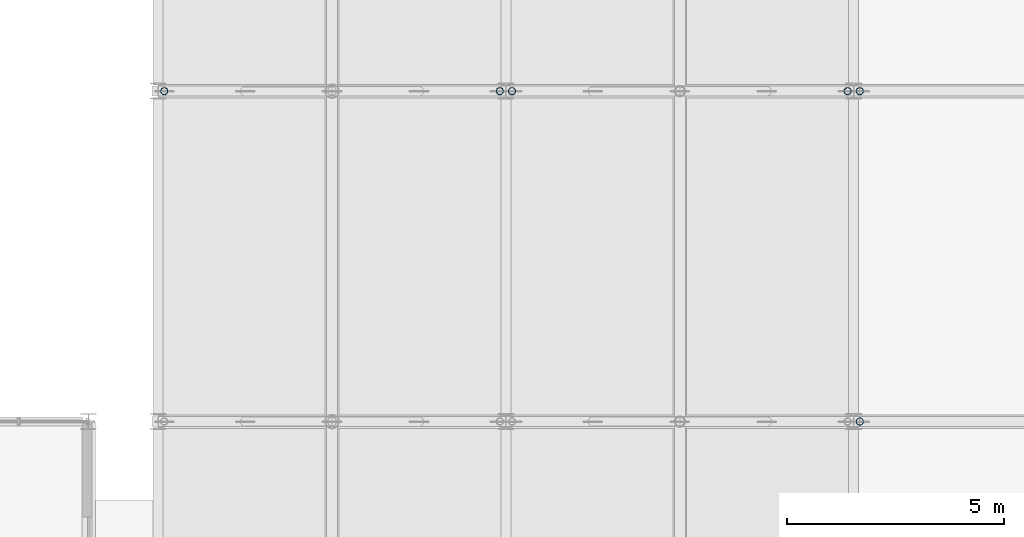
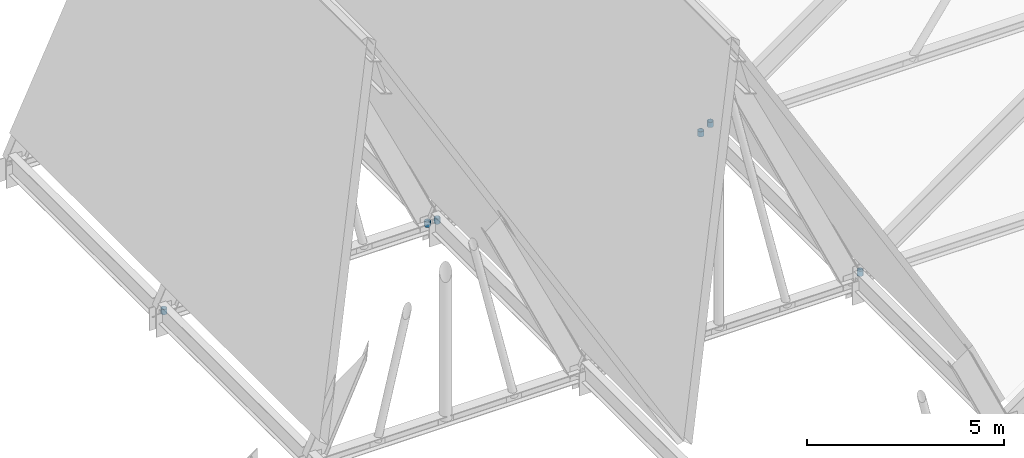
# One storey, part 55 of 85: 6 members.
"""IFC4 building model written with IfcOpenShell, lengths in metres."""

from ifc_helpers import new_model, si_unit, direction, frame, origin, origin_2d, place, context, subcontext, project, spatial, hollow_circle, extrude, material, material_profile, profile_set, type_object, element, save


model = new_model("IFC4")

# Units and contexts
model_context = context("Model", 3, precision=1e-05, world=origin(), true_north=direction((0.0, 1.0)))
body_context = subcontext(model_context, "Body", "Model", "MODEL_VIEW")
ifc_project = project(units=[si_unit("LENGTHUNIT", "METRE"), si_unit("AREAUNIT", "SQUARE_METRE"), si_unit("VOLUMEUNIT", "CUBIC_METRE"), si_unit("PLANEANGLEUNIT", "RADIAN"), si_unit("MASSUNIT", "GRAM", prefix="KILO")], contexts=[model_context])

# Site, building, storey
site_placement = place(None, origin())
site = spatial("IfcSite", under=ifc_project, at=site_placement, CompositionType="ELEMENT")
building_placement = place(site_placement, origin())
building = spatial("IfcBuilding", under=site, at=building_placement, Name="Zulena Civic Courthouse", CompositionType="ELEMENT")
storey_placement = place(building_placement, frame((0.0, 0.0, 25.199951171875)))
storey = spatial("IfcBuildingStorey", under=building, at=storey_placement, Name="L05", CompositionType="ELEMENT", Elevation=25.199951171875)

# Members
ifc_material = material(Name="Steel ASTM A500 Grade C", Category="steel")
ifc_material_profile = material_profile(ifc_material, hollow_circle(Radius=0.083984375, WallThickness=0.00732421875, at=origin_2d()), Name="HSS6.625X0.312")
ifc_profile_set = profile_set([ifc_material_profile], Name="Steel ASTM A500 Grade C")
member_type = type_object("IfcMemberType", Name="RoofWeb_CHS6", PredefinedType="USERDEFINED", material=ifc_profile_set)
for number, where, z_axis, x_axis, name in (
    (1, (68.139892578125, 30.39990234375, 0.343017578125), (0.0, 0.0, 1.0), (1.0, 0.0, 0.0), "mem:fold:postW:01:30.4"),
    (2, (75.860107421875, 30.39990234375, 0.343017578125), (0.0, 0.0, 1.0), (1.0, 0.0, 0.0), "mem:fold:postE:01:30.4"),
    (3, (76.139892578125, 30.39990234375, 0.343017578125), (0.0, 0.0, 1.0), (1.0, 0.0, 0.0), "mem:fold:postW:02:30.4"),
    (4, (83.860107421875, 30.39990234375, 0.343017578125), (0.0, 0.0, 1.0), (1.0, 0.0, 0.0), "mem:fold:postE:02:30.4"),
):
    element("IfcMember", number, at=place(storey_placement, frame(where, z_axis=z_axis, x_axis=x_axis)), inside=storey, type_object=member_type, Name=name, ObjectType="ROOF TRUSS", PredefinedType="USERDEFINED", context=body_context, shape_type="SweptSolid", body=[
        extrude(hollow_circle(Radius=0.083984375, WallThickness=0.00732421875, at=origin_2d()), origin(), (0.0, 0.0, 1.0), 0.159912109375),
    ])
for number, where, z_axis, x_axis, name in (
    (5, (84.139892578125, 22.800048828125, 0.536376953125), (0.0, 0.0, 1.0), (1.0, 0.0, 0.0), "mem:fold:postW:03:22.8"),
    (6, (84.139892578125, 30.39990234375, 0.536376953125), (0.0, 0.0, 1.0), (1.0, 0.0, 0.0), "mem:fold:postW:03:30.4"),
):
    element("IfcMember", number, at=place(storey_placement, frame(where, z_axis=z_axis, x_axis=x_axis)), inside=storey, type_object=member_type, Name=name, ObjectType="ROOF TRUSS", PredefinedType="USERDEFINED", context=body_context, shape_type="SweptSolid", body=[
        extrude(hollow_circle(Radius=0.083984375, WallThickness=0.00732421875, at=origin_2d()), origin(), (0.0, 0.0, 1.0), 0.16015625),
    ])

save(model, "model.ifc")
